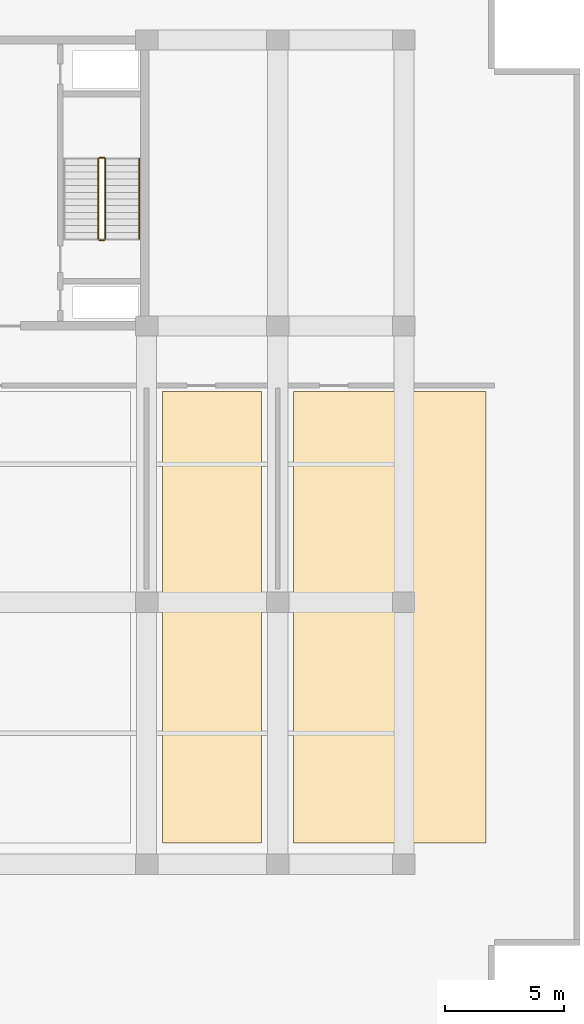
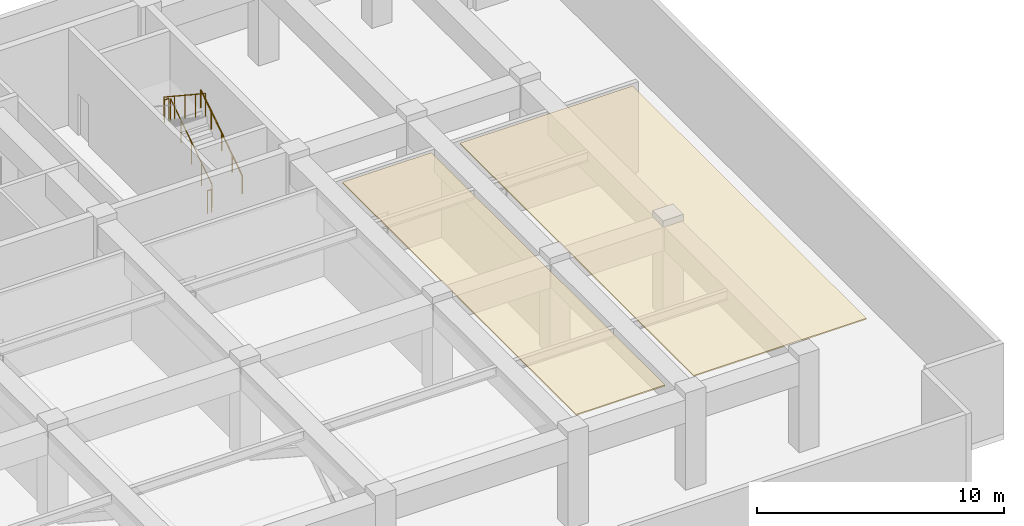
# One storey, part 17 of 21: 5 railings, 2 coverings.
"""IFC4 building model written with IfcOpenShell, lengths in metres."""

from ifc_helpers import new_model, si_unit, direction, frame, origin, origin_2d, place, context, subcontext, project, spatial, polyline, circle, outline, extrude, material, layer, layer_set, type_object, element, save


model = new_model("IFC4")

# Units and contexts
model_context = context("Model", 3, precision=1e-05, world=origin(), true_north=direction((0.0, 1.0)))
body_context = subcontext(model_context, "Body", "Model", "MODEL_VIEW")
ifc_project = project(units=[si_unit("LENGTHUNIT", "METRE"), si_unit("AREAUNIT", "SQUARE_METRE"), si_unit("VOLUMEUNIT", "CUBIC_METRE"), si_unit("PLANEANGLEUNIT", "RADIAN"), si_unit("MASSUNIT", "GRAM", prefix="KILO")], contexts=[model_context])

# Site, building, storey
site_placement = place(None, origin())
site = spatial("IfcSite", under=ifc_project, at=site_placement, CompositionType="ELEMENT")
building_placement = place(site_placement, origin())
building = spatial("IfcBuilding", under=site, at=building_placement, Name="Korimba Cascade Residences", CompositionType="ELEMENT")
storey_placement = place(building_placement, frame((0.0, 0.0, 76.0)))
storey = spatial("IfcBuildingStorey", under=building, at=storey_placement, Name="L21", CompositionType="ELEMENT", Elevation=76.0)

# Coverings
ifc_material_1 = material(Name="Mineral Wool Thermal Acoustic Insulation", Category="insulation")
ifc_layer = layer(ifc_material_1, 0.06005859375)
ifc_layer_set = layer_set([ifc_layer], Name="Mineral Wool Thermal Acoustic Insulation")
covering_type = type_object("IfcCoveringType", Name="COV-INS-60", PredefinedType="INSULATION", material=ifc_layer_set)
covering_1_placement = place(storey_placement, frame((0.0, 0.0, 4.419921875)))
element("IfcCovering", 1, at=covering_1_placement, inside=storey, type_object=covering_type, Name="L21 Mineral Wool Acoustic Soffit Insulation L21-PL26", PredefinedType="INSULATION", context=body_context, shape_type="SweptSolid", body=[
    extrude(outline(polyline([(118.77001953125, -3.300048828125), (122.929931640625, -3.300048828125), (122.929931640625, 15.64990234375), (118.77001953125, 15.64990234375), (118.77001953125, -3.300048828125)])), origin(), (0.0, 0.0, 1.0), 0.06005859375),
])
covering_2_placement = place(storey_placement, frame((0.0, 0.0, 4.419921875)))
element("IfcCovering", 2, at=covering_2_placement, inside=storey, type_object=covering_type, Name="L21 Mineral Wool Acoustic Soffit Insulation L21-PL27", PredefinedType="INSULATION", context=body_context, shape_type="SweptSolid", body=[
    extrude(outline(polyline([(124.27001953125, -3.300048828125), (132.35009765625, -3.300048828125), (132.35009765625, 15.64990234375), (124.27001953125, 15.64990234375), (124.27001953125, -3.300048828125)])), origin(), (0.0, 0.0, 1.0), 0.06005859375),
])

# Railings
ifc_material_2 = material(Name="Painted Steel Stairwell Guardrail", Category="steel")
railing_type_1 = type_object("IfcRailingType", Name="RLG-ST-GD1150", PredefinedType="GUARDRAIL", material=ifc_material_2)
railing_1_placement = place(storey_placement, frame((116.3701171875, 22.050048828125, 0.1845703125)))
element("IfcRailing", 3, at=railing_1_placement, inside=storey, type_object=railing_type_1, Name="L21 ST-E2 stair guard 1", PredefinedType="GUARDRAIL", context=body_context, shape_type="SweptSolid", body=[
    extrude(circle(Radius=0.02392578125, at=origin_2d()), frame((0.0, 0.0, 1.1259765625), z_axis=(0.0, 0.834858096282, 0.550465220583), x_axis=(-1.0, 0.0, 0.0)), (0.0, 0.0, 1.0), 4.0244140625),
    extrude(circle(Radius=0.02099609375, at=origin_2d()), origin(), (0.0, 0.0, 1.0), 1.101806640625),
    extrude(circle(Radius=0.02099609375, at=origin_2d()), frame((0.0, 0.83984375, 0.5537109375)), (0.0, 0.0, 1.0), 1.101806640625),
    extrude(circle(Radius=0.02099609375, at=origin_2d()), frame((0.0, 1.679931640625, 1.107666015625)), (0.0, 0.0, 1.0), 1.101806640625),
    extrude(circle(Radius=0.02099609375, at=origin_2d()), frame((0.0, 2.52001953125, 1.66162109375)), (0.0, 0.0, 1.0), 1.101806640625),
    extrude(circle(Radius=0.02099609375, at=origin_2d()), frame((0.0, 3.35986328125, 2.21533203125)), (0.0, 0.0, 1.0), 1.101806640625),
])
railing_2_placement = place(storey_placement, frame((116.320068359375, 25.4599609375, 2.39990234375)))
element("IfcRailing", 4, at=railing_2_placement, inside=storey, type_object=railing_type_1, Name="L21 ST-E2 stair guard 2", PredefinedType="GUARDRAIL", context=body_context, shape_type="SweptSolid", body=[
    extrude(circle(Radius=0.02392578125, at=origin_2d()), frame((0.0, 0.0, 1.1259765625), z_axis=(-1.0, 0.0, 0.0), x_axis=(0.0, -1.0, 0.0)), (0.0, 0.0, 1.0), 0.199951171875),
    extrude(circle(Radius=0.02099609375, at=origin_2d()), origin(), (0.0, 0.0, 1.0), 1.101806640625),
    extrude(circle(Radius=0.02099609375, at=origin_2d()), frame((-0.199951171875, 0.0, 0.0)), (0.0, 0.0, 1.0), 1.101806640625),
])
railing_3_placement = place(storey_placement, frame((116.070068359375, 25.409912109375, 2.584716796875)))
element("IfcRailing", 5, at=railing_3_placement, inside=storey, type_object=railing_type_1, Name="L21 ST-E2 stair guard 3", PredefinedType="GUARDRAIL", context=body_context, shape_type="SweptSolid", body=[
    extrude(circle(Radius=0.02392578125, at=origin_2d()), frame((0.0, 0.0, 1.1259765625), z_axis=(0.0, -0.834858096282, 0.550465220583), x_axis=(1.0, 0.0, 0.0)), (0.0, 0.0, 1.0), 4.0244140625),
    extrude(circle(Radius=0.02099609375, at=origin_2d()), origin(), (0.0, 0.0, 1.0), 1.101806640625),
    extrude(circle(Radius=0.02099609375, at=origin_2d()), frame((0.0, -0.83984375, 0.5537109375)), (0.0, 0.0, 1.0), 1.101806640625),
    extrude(circle(Radius=0.02099609375, at=origin_2d()), frame((0.0, -1.679931640625, 1.107666015625)), (0.0, 0.0, 1.0), 1.101806640625),
    extrude(circle(Radius=0.02099609375, at=origin_2d()), frame((0.0, -2.52001953125, 1.66162109375)), (0.0, 0.0, 1.0), 1.101806640625),
    extrude(circle(Radius=0.02099609375, at=origin_2d()), frame((0.0, -3.35986328125, 2.21533203125)), (0.0, 0.0, 1.0), 1.101806640625),
])
railing_4_placement = place(storey_placement, frame((116.320068359375, 22.0, 0.0)))
element("IfcRailing", 6, at=railing_4_placement, inside=storey, type_object=railing_type_1, Name="L21 ST-E2 stair guard 4", PredefinedType="GUARDRAIL", context=body_context, shape_type="SweptSolid", body=[
    extrude(circle(Radius=0.02392578125, at=origin_2d()), frame((0.0, 0.0, 1.1259765625), z_axis=(-1.0, 0.0, 0.0), x_axis=(0.0, -1.0, 0.0)), (0.0, 0.0, 1.0), 0.199951171875),
    extrude(circle(Radius=0.02099609375, at=origin_2d()), origin(), (0.0, 0.0, 1.0), 1.101806640625),
    extrude(circle(Radius=0.02099609375, at=origin_2d()), frame((-0.199951171875, 0.0, 0.0)), (0.0, 0.0, 1.0), 1.101806640625),
])
ifc_material_3 = material(Name="Brushed Stainless Steel Handrail", Category="steel")
railing_type_2 = type_object("IfcRailingType", Name="RLG-ST-HR900", PredefinedType="HANDRAIL", material=ifc_material_3)
railing_5_placement = place(storey_placement, frame((117.7900390625, 22.050048828125, 0.373291015625)))
element("IfcRailing", 7, at=railing_5_placement, inside=storey, type_object=railing_type_2, Name="L21 ST-E2 stair handrail 1", PredefinedType="HANDRAIL", context=body_context, shape_type="SweptSolid", body=[
    extrude(circle(Radius=0.02392578125, at=origin_2d()), frame((0.0, 0.0, 0.8759765625), z_axis=(0.0, 0.834858096282, 0.550465220583), x_axis=(-1.0, 0.0, 0.0)), (0.0, 0.0, 1.0), 4.0244140625),
    extrude(circle(Radius=0.02099609375, at=origin_2d()), origin(), (0.0, 0.0, 1.0), 0.851806640625),
    extrude(circle(Radius=0.02099609375, at=origin_2d()), frame((0.0, 0.83984375, 0.5537109375)), (0.0, 0.0, 1.0), 0.851806640625),
    extrude(circle(Radius=0.02099609375, at=origin_2d()), frame((0.0, 1.679931640625, 1.107666015625)), (0.0, 0.0, 1.0), 0.851806640625),
    extrude(circle(Radius=0.02099609375, at=origin_2d()), frame((0.0, 2.52001953125, 1.66162109375)), (0.0, 0.0, 1.0), 0.851806640625),
    extrude(circle(Radius=0.02099609375, at=origin_2d()), frame((0.0, 3.35986328125, 2.21533203125)), (0.0, 0.0, 1.0), 0.851806640625),
])

save(model, "model.ifc")
